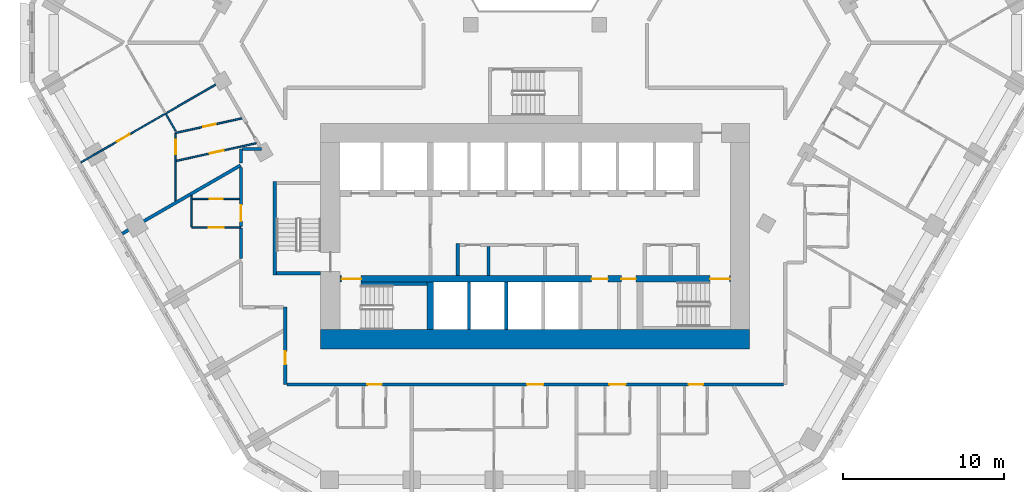
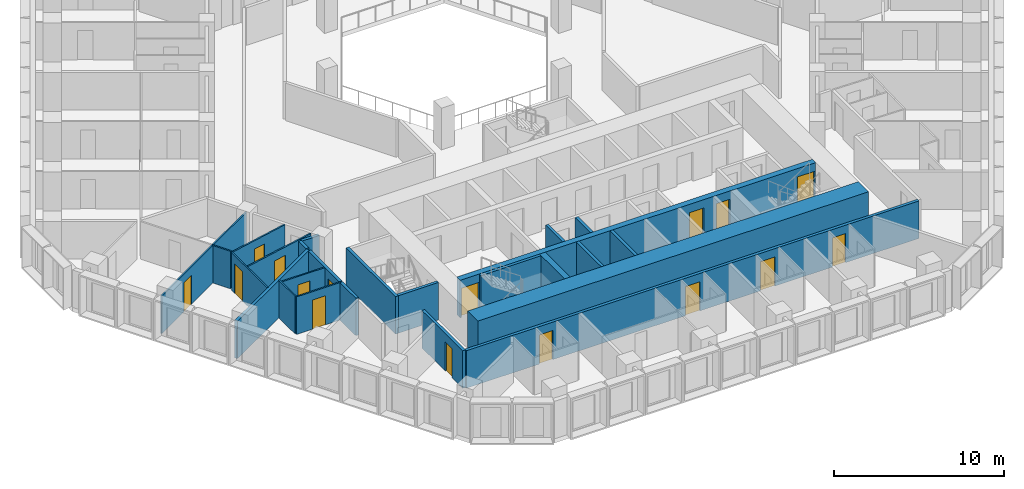
# One storey, part 4 of 21: 25 walls, 16 doors, 16 openings.
"""IFC4 building model written with IfcOpenShell, lengths in metres."""

from ifc_helpers import new_model, si_unit, direction, frame, frame_2d, origin, place, context, subcontext, project, spatial, rectangle, extrude, material, layer, layer_set, type_object, element, fill, save


model = new_model("IFC4")

# Units and contexts
model_context = context("Model", 3, precision=1e-05, world=origin(), true_north=direction((0.0, 1.0)))
body_context = subcontext(model_context, "Body", "Model", "MODEL_VIEW")
ifc_project = project(units=[si_unit("LENGTHUNIT", "METRE"), si_unit("AREAUNIT", "SQUARE_METRE"), si_unit("VOLUMEUNIT", "CUBIC_METRE"), si_unit("PLANEANGLEUNIT", "RADIAN"), si_unit("MASSUNIT", "GRAM", prefix="KILO")], contexts=[model_context])

# Site, building, storey
site_placement = place(None, origin())
site = spatial("IfcSite", under=ifc_project, at=site_placement, CompositionType="ELEMENT")
building_placement = place(site_placement, origin())
building = spatial("IfcBuilding", under=site, at=building_placement, Name="Beryl Residences", CompositionType="ELEMENT")
storey_placement = place(building_placement, frame((0.0, 0.0, 29.39990234375)))
storey = spatial("IfcBuildingStorey", under=building, at=storey_placement, Name="L08", CompositionType="ELEMENT", Elevation=29.39990234375)

# Wall
ifc_material_1 = material(Name="Gypsum board partition on steel studs", Category="steel")
ifc_layer_1 = layer(ifc_material_1, 0.10009765625)
ifc_layer_set_1 = layer_set([ifc_layer_1], Name="PT1 partition 100 mm gypsum board on steel studs")
wall_type_1 = type_object("IfcWallType", Name="PT1 partition 100 mm gypsum board on steel studs", PredefinedType="PARTITIONING", material=ifc_layer_set_1)
wall_1_placement = place(storey_placement, frame((-21.31005859375, -9.47412109375, 0.0), z_axis=(0.0, 0.0, 1.0), x_axis=(0.0, -1.0, 0.0)))
element("IfcWall", 1, at=wall_1_placement, inside=storey, type_object=wall_type_1, Name="Wall PT1 L08 009", PredefinedType="PARTITIONING", context=body_context, shape_type="SweptSolid", body=[
    extrude(rectangle(XDim=1.931884765625, YDim=0.10009765625, at=frame_2d((0.9658203125, 0.0))), origin(), (0.0, 0.0, 1.0), 2.7001953125),
])

# Wall, opening, door
wall_2_placement = place(storey_placement, frame((-21.260009765625, -9.68896484375, 0.0), z_axis=(0.0, 0.0, 1.0), x_axis=(1.0, 0.0, 0.0)))
wall_2 = element("IfcWall", 2, at=wall_2_placement, inside=storey, type_object=wall_type_1, Name="Wall PT1 L08 024", PredefinedType="PARTITIONING", context=body_context, shape_type="SweptSolid", body=[
    extrude(rectangle(XDim=2.909912109375, YDim=0.10009765625, at=frame_2d((1.455078125, 0.0))), origin(), (0.0, 0.0, 1.0), 2.7001953125),
])
opening_1_placement = place(wall_2_placement, frame((1.080078125, 0.0, 0.0)))
opening_1 = element("IfcOpeningElement", 3, at=opening_1_placement, cuts=wall_2, Name="Opening D0178", PredefinedType="OPENING", context=body_context, shape_type="SweptSolid", body=[
    extrude(rectangle(XDim=0.800048828125, YDim=2.10009765625, at=frame_2d((0.39990234375, 1.050048828125))), frame((0.0, 0.06005859375, 0.0), z_axis=(0.0, -1.0, 0.0), x_axis=(1.0, 0.0, 0.0)), (0.0, 0.0, 1.0), 0.1201171875),
])
ifc_material_2 = material(Name="Timber door leaf", Category="wood")
door_type_1 = type_object("IfcDoorType", Name="D3 bathroom door 800 x 2100 mm", OperationType="SINGLE_SWING_LEFT", PredefinedType="DOOR", material=ifc_material_2)
door_1_placement = place(opening_1_placement, origin())
door_1 = element("IfcDoor", 4, at=door_1_placement, inside=storey, type_object=door_type_1, Name="Door D0178 L08 001", OperationType="SINGLE_SWING_RIGHT", OverallHeight=2.10009765625, OverallWidth=0.800048828125, PredefinedType="DOOR", context=body_context, shape_type="SweptSolid", body=[
    extrude(rectangle(XDim=0.800048828125, YDim=2.10009765625, at=frame_2d((0.39990234375, 1.050048828125))), frame((0.0, 0.02490234375, 0.0), z_axis=(0.0, -1.0, 0.0), x_axis=(1.0, 0.0, 0.0)), (0.0, 0.0, 1.0), 0.050048828125),
])
fill(opening_1, door_1)

wall_3_placement = place(storey_placement, frame((-21.30908203125, -11.45703125, 0.0), z_axis=(0.0, 0.0, 1.0), x_axis=(1.0, 0.0, 0.0)))
wall_3 = element("IfcWall", 5, at=wall_3_placement, inside=storey, type_object=wall_type_1, Name="Wall PT1 L08 025", PredefinedType="PARTITIONING", context=body_context, shape_type="SweptSolid", body=[
    extrude(rectangle(XDim=3.05908203125, YDim=0.10009765625, at=frame_2d((1.529541015625, 0.0))), origin(), (0.0, 0.0, 1.0), 2.7001953125),
])
opening_2_placement = place(wall_3_placement, frame((1.0791015625, 0.0, 0.0)))
opening_2 = element("IfcOpeningElement", 6, at=opening_2_placement, cuts=wall_3, Name="Opening D0177", PredefinedType="OPENING", context=body_context, shape_type="SweptSolid", body=[
    extrude(rectangle(XDim=0.89990234375, YDim=2.10009765625, at=frame_2d((0.449951171875, 1.050048828125))), frame((0.0, 0.06005859375, 0.0), z_axis=(0.0, -1.0, 0.0), x_axis=(1.0, 0.0, 0.0)), (0.0, 0.0, 1.0), 0.1201171875),
])
ifc_material_3 = material(Name="Timber door leaf", Category="wood")
door_type_2 = type_object("IfcDoorType", Name="D2 room door 900 x 2100 mm", OperationType="SINGLE_SWING_LEFT", PredefinedType="DOOR", material=ifc_material_3)
door_2_placement = place(opening_2_placement, origin())
door_2 = element("IfcDoor", 7, at=door_2_placement, inside=storey, type_object=door_type_2, Name="Door D0177 L08 001", OperationType="SINGLE_SWING_LEFT", OverallHeight=2.10009765625, OverallWidth=0.89990234375, PredefinedType="DOOR", context=body_context, shape_type="SweptSolid", body=[
    extrude(rectangle(XDim=0.89990234375, YDim=2.10009765625, at=frame_2d((0.449951171875, 1.050048828125))), frame((0.0, 0.02490234375, 0.0), z_axis=(0.0, -1.0, 0.0), x_axis=(1.0, 0.0, 0.0)), (0.0, 0.0, 1.0), 0.050048828125),
])
fill(opening_2, door_2)

wall_4_placement = place(storey_placement, frame((-22.297119140625, -9.81298828125, 0.0), z_axis=(0.0, 0.0, 1.0), x_axis=(0.0, 1.0, 0.0)))
wall_4 = element("IfcWall", 8, at=wall_4_placement, inside=storey, type_object=wall_type_1, Name="Wall PT1 L08 058", PredefinedType="PARTITIONING", context=body_context, shape_type="SweptSolid", body=[
    extrude(rectangle(XDim=4.18408203125, YDim=0.10009765625, at=frame_2d((2.092041015625, 0.0))), origin(), (0.0, 0.0, 1.0), 2.7001953125),
])
opening_3_placement = place(wall_4_placement, frame((2.89404296875, 0.0, 0.0)))
opening_3 = element("IfcOpeningElement", 9, at=opening_3_placement, cuts=wall_4, Name="Opening D0172", PredefinedType="OPENING", context=body_context, shape_type="SweptSolid", body=[
    extrude(rectangle(XDim=0.89990234375, YDim=2.10009765625, at=frame_2d((0.449951171875, 1.050048828125))), frame((0.0, 0.06005859375, 0.0), z_axis=(0.0, -1.0, 0.0), x_axis=(1.0, 0.0, 0.0)), (0.0, 0.0, 1.0), 0.1201171875),
])
door_3_placement = place(opening_3_placement, origin())
door_3 = element("IfcDoor", 10, at=door_3_placement, inside=storey, type_object=door_type_2, Name="Door D0172 L08 001", OperationType="SINGLE_SWING_RIGHT", OverallHeight=2.10009765625, OverallWidth=0.89990234375, PredefinedType="DOOR", context=body_context, shape_type="SweptSolid", body=[
    extrude(rectangle(XDim=0.89990234375, YDim=2.10009765625, at=frame_2d((0.449951171875, 1.050048828125))), frame((0.0, 0.02490234375, 0.0), z_axis=(0.0, -1.0, 0.0), x_axis=(1.0, 0.0, 0.0)), (0.0, 0.0, 1.0), 0.050048828125),
])
fill(opening_3, door_3)

wall_5_placement = place(storey_placement, frame((-22.297119140625, -5.597900390625, 0.0), z_axis=(0.0, 0.0, 1.0), x_axis=(0.976341239907, 0.216235481033, 0.0)))
wall_5 = element("IfcWall", 11, at=wall_5_placement, inside=storey, type_object=wall_type_1, Name="Wall PT1 L08 060", PredefinedType="PARTITIONING", context=body_context, shape_type="SweptSolid", body=[
    extrude(rectangle(XDim=4.203369140625, YDim=0.10009765625, at=frame_2d((2.1015625, 0.0))), origin(), (0.0, 0.0, 1.0), 2.7001953125),
])
opening_4_placement = place(wall_5_placement, frame((1.75390625, 0.0, 0.0)))
opening_4 = element("IfcOpeningElement", 12, at=opening_4_placement, cuts=wall_5, Name="Opening D0171", PredefinedType="OPENING", context=body_context, shape_type="SweptSolid", body=[
    extrude(rectangle(XDim=0.800048828125, YDim=2.10009765625, at=frame_2d((0.39990234375, 1.050048828125))), frame((0.0, 0.06005859375, 0.0), z_axis=(0.0, -1.0, 0.0), x_axis=(1.0, 0.0, 0.0)), (0.0, 0.0, 1.0), 0.1201171875),
])
door_4_placement = place(opening_4_placement, origin())
door_4 = element("IfcDoor", 13, at=door_4_placement, inside=storey, type_object=door_type_1, Name="Door D0171 L08 001", OperationType="SINGLE_SWING_LEFT", OverallHeight=2.10009765625, OverallWidth=0.800048828125, PredefinedType="DOOR", context=body_context, shape_type="SweptSolid", body=[
    extrude(rectangle(XDim=0.800048828125, YDim=2.10009765625, at=frame_2d((0.39990234375, 1.050048828125))), frame((0.0, 0.02490234375, 0.0), z_axis=(0.0, -1.0, 0.0), x_axis=(1.0, 0.0, 0.0)), (0.0, 0.0, 1.0), 0.050048828125),
])
fill(opening_4, door_4)

wall_6_placement = place(storey_placement, frame((-22.2470703125, -7.327880859375, 0.0), z_axis=(0.0, 0.0, 1.0), x_axis=(0.976310522972, 0.216374126765, 0.0)))
wall_6 = element("IfcWall", 14, at=wall_6_placement, inside=storey, type_object=wall_type_1, Name="Wall PT1 L08 061", PredefinedType="PARTITIONING", context=body_context, shape_type="SweptSolid", body=[
    extrude(rectangle(XDim=5.06494140625, YDim=0.10009765625, at=frame_2d((2.532470703125, 0.0))), origin(), (0.0, 0.0, 1.0), 2.7001953125),
])
opening_5_placement = place(wall_6_placement, frame((2.10888671875, 0.0, 0.0)))
opening_5 = element("IfcOpeningElement", 15, at=opening_5_placement, cuts=wall_6, Name="Opening D0170", PredefinedType="OPENING", context=body_context, shape_type="SweptSolid", body=[
    extrude(rectangle(XDim=0.89990234375, YDim=2.10009765625, at=frame_2d((0.449951171875, 1.050048828125))), frame((0.0, 0.06005859375, 0.0), z_axis=(0.0, -1.0, 0.0), x_axis=(1.0, 0.0, 0.0)), (0.0, 0.0, 1.0), 0.1201171875),
])
door_5_placement = place(opening_5_placement, origin())
door_5 = element("IfcDoor", 16, at=door_5_placement, inside=storey, type_object=door_type_2, Name="Door D0170 L08 001", OperationType="SINGLE_SWING_RIGHT", OverallHeight=2.10009765625, OverallWidth=0.89990234375, PredefinedType="DOOR", context=body_context, shape_type="SweptSolid", body=[
    extrude(rectangle(XDim=0.89990234375, YDim=2.10009765625, at=frame_2d((0.449951171875, 1.050048828125))), frame((0.0, 0.02490234375, 0.0), z_axis=(0.0, -1.0, 0.0), x_axis=(1.0, 0.0, 0.0)), (0.0, 0.0, 1.0), 0.050048828125),
])
fill(opening_5, door_5)

wall_7_placement = place(storey_placement, frame((-28.1630859375, -7.419921875, 0.0), z_axis=(0.0, 0.0, 1.0), x_axis=(0.866065245018, 0.499930986609, 0.0)))
wall_7 = element("IfcWall", 17, at=wall_7_placement, inside=storey, type_object=wall_type_1, Name="Wall PT1 L08 064", PredefinedType="PARTITIONING", context=body_context, shape_type="SweptSolid", body=[
    extrude(rectangle(XDim=9.99951171875, YDim=0.10009765625, at=frame_2d((4.999755859375, 0.0))), origin(), (0.0, 0.0, 1.0), 2.7001953125),
])
opening_6_placement = place(wall_7_placement, frame((2.575927734375, 0.0, 0.0)))
opening_6 = element("IfcOpeningElement", 18, at=opening_6_placement, cuts=wall_7, Name="Opening D0173", PredefinedType="OPENING", context=body_context, shape_type="SweptSolid", body=[
    extrude(rectangle(XDim=0.89990234375, YDim=2.10009765625, at=frame_2d((0.449951171875, 1.050048828125))), frame((0.0, 0.06005859375, 0.0), z_axis=(0.0, -1.0, 0.0), x_axis=(1.0, 0.0, 0.0)), (0.0, 0.0, 1.0), 0.1201171875),
])
door_6_placement = place(opening_6_placement, origin())
door_6 = element("IfcDoor", 19, at=door_6_placement, inside=storey, type_object=door_type_2, Name="Door D0173 L08 001", OperationType="SINGLE_SWING_LEFT", OverallHeight=2.10009765625, OverallWidth=0.89990234375, PredefinedType="DOOR", context=body_context, shape_type="SweptSolid", body=[
    extrude(rectangle(XDim=0.89990234375, YDim=2.10009765625, at=frame_2d((0.449951171875, 1.050048828125))), frame((0.0, 0.02490234375, 0.0), z_axis=(0.0, -1.0, 0.0), x_axis=(1.0, 0.0, 0.0)), (0.0, 0.0, 1.0), 0.050048828125),
])
fill(opening_6, door_6)

# Walls
wall_8_placement = place(storey_placement, frame((-22.9208984375, -4.39404296875, 0.0), z_axis=(0.0, 0.0, 1.0), x_axis=(0.49977889874, -0.86615301903, 0.0)))
element("IfcWall", 20, at=wall_8_placement, inside=storey, type_object=wall_type_1, Name="Wall PT1 L08 071", PredefinedType="PARTITIONING", context=body_context, shape_type="SweptSolid", body=[
    extrude(rectangle(XDim=1.248046875, YDim=0.10009765625, at=frame_2d((0.6240234375, 0.0))), origin(), (0.0, 0.0, 1.0), 2.7001953125),
])
ifc_material_4 = material(Name="Concrete masonry", Category="masonry")
ifc_layer_2 = layer(ifc_material_4, 0.199951171875)
ifc_layer_set_2 = layer_set([ifc_layer_2], Name="PT13 lobby wall 200 mm")
wall_type_2 = type_object("IfcWallType", Name="PT13 lobby wall 200 mm", PredefinedType="PARTITIONING", material=ifc_layer_set_2)
wall_9_placement = place(storey_placement, frame((-4.800048828125, -14.449951171875, 0.0), z_axis=(0.0, 0.0, 1.0), x_axis=(0.0, 1.0, 0.0)))
element("IfcWall", 21, at=wall_9_placement, inside=storey, type_object=wall_type_2, Name="Lobby wall 07", PredefinedType="PARTITIONING", context=body_context, shape_type="SweptSolid", body=[
    extrude(rectangle(XDim=2.0, YDim=0.199951171875, at=frame_2d((1.0, 0.0))), origin(), (0.0, 0.0, 1.0), 2.7001953125),
])
ifc_material_5 = material(Name="Acoustic double stud gypsum board wall")
ifc_layer_3 = layer(ifc_material_5, 0.199951171875)
ifc_layer_set_3 = layer_set([ifc_layer_3], Name="PT3 party wall 200 mm acoustic double stud")
wall_type_3 = type_object("IfcWallType", Name="PT3 party wall 200 mm acoustic double stud", PredefinedType="PARTITIONING", material=ifc_layer_set_3)
wall_10_placement = place(storey_placement, frame((-25.610107421875, -11.841064453125, 0.0), z_axis=(0.0, 0.0, 1.0), x_axis=(0.866019023803, 0.500011050288, 0.0)))
element("IfcWall", 22, at=wall_10_placement, inside=storey, type_object=wall_type_3, Name="Wall PT3 L08 027", PredefinedType="PARTITIONING", context=body_context, shape_type="SweptSolid", body=[
    extrude(rectangle(XDim=8.469970703125, YDim=0.199951171875, at=frame_2d((4.23486328125, 0.0))), origin(), (0.0, 0.0, 1.0), 2.7001953125),
])
ifc_material_6 = material(Name="Double stud gypsum board wall")
ifc_layer_4 = layer(ifc_material_6, 0.199951171875)
ifc_layer_set_4 = layer_set([ifc_layer_4], Name="PT4 corridor wall 200 mm double stud")
wall_type_4 = type_object("IfcWallType", Name="PT4 corridor wall 200 mm double stud", PredefinedType="PARTITIONING", material=ifc_layer_set_4)
wall_11_placement = place(storey_placement, frame((-18.25, -11.507080078125, 0.0), z_axis=(0.0, 0.0, 1.0), x_axis=(0.0, -1.0, 0.0)))
element("IfcWall", 23, at=wall_11_placement, inside=storey, type_object=wall_type_4, Name="Wall PT4 L08 007", PredefinedType="PARTITIONING", context=body_context, shape_type="SweptSolid", body=[
    extrude(rectangle(XDim=1.86181640625, YDim=0.199951171875, at=frame_2d((0.930908203125, 0.0))), origin(), (0.0, 0.0, 1.0), 2.7001953125),
])
wall_12_placement = place(storey_placement, frame((-18.14990234375, -6.60009765625, 0.0), z_axis=(0.0, 0.0, 1.0), x_axis=(1.0, 0.0, 0.0)))
element("IfcWall", 24, at=wall_12_placement, inside=storey, type_object=wall_type_4, Name="Wall PT4 L08 008", PredefinedType="PARTITIONING", context=body_context, shape_type="SweptSolid", body=[
    extrude(rectangle(XDim=1.17578125, YDim=0.199951171875, at=frame_2d((0.587890625, 0.0))), origin(), (0.0, 0.0, 1.0), 2.7001953125),
])

# Wall, openings, doors
wall_13_placement = place(storey_placement, frame((-15.39990234375, -21.199951171875, 0.0), z_axis=(0.0, 0.0, 1.0), x_axis=(1.0, 0.0, 0.0)))
wall_13 = element("IfcWall", 25, at=wall_13_placement, inside=storey, type_object=wall_type_4, Name="Wall PT4 L08 012", PredefinedType="PARTITIONING", context=body_context, shape_type="SweptSolid", body=[
    extrude(rectangle(XDim=30.798828125, YDim=0.199951171875, at=frame_2d((15.3994140625, 0.0))), origin(), (0.0, 0.0, 1.0), 2.7001953125),
])
opening_7_placement = place(wall_13_placement, frame((4.985107421875, 0.0, 0.0)))
opening_7 = element("IfcOpeningElement", 26, at=opening_7_placement, cuts=wall_13, Name="Opening D0101", PredefinedType="OPENING", context=body_context, shape_type="SweptSolid", body=[
    extrude(rectangle(XDim=0.89990234375, YDim=2.10009765625, at=frame_2d((0.449951171875, 1.050048828125))), frame((0.0, 0.10986328125, 0.0), z_axis=(0.0, -1.0, 0.0), x_axis=(1.0, 0.0, 0.0)), (0.0, 0.0, 1.0), 0.219970703125),
])
opening_8_placement = place(wall_13_placement, frame((14.90087890625, 0.0, 0.0)))
opening_8 = element("IfcOpeningElement", 27, at=opening_8_placement, cuts=wall_13, Name="Opening D0104", PredefinedType="OPENING", context=body_context, shape_type="SweptSolid", body=[
    extrude(rectangle(XDim=1.0, YDim=2.10009765625, at=frame_2d((0.5, 1.050048828125))), frame((0.0, 0.10986328125, 0.0), z_axis=(0.0, -1.0, 0.0), x_axis=(1.0, 0.0, 0.0)), (0.0, 0.0, 1.0), 0.219970703125),
])
opening_9_placement = place(wall_13_placement, frame((20.0048828125, 0.0, 0.0)))
opening_9 = element("IfcOpeningElement", 28, at=opening_9_placement, cuts=wall_13, Name="Opening D0109", PredefinedType="OPENING", context=body_context, shape_type="SweptSolid", body=[
    extrude(rectangle(XDim=1.0, YDim=2.10009765625, at=frame_2d((0.5, 1.050048828125))), frame((0.0, 0.10986328125, 0.0), z_axis=(0.0, -1.0, 0.0), x_axis=(1.0, 0.0, 0.0)), (0.0, 0.0, 1.0), 0.219970703125),
])
opening_10_placement = place(wall_13_placement, frame((24.916015625, 0.0, 0.0)))
opening_10 = element("IfcOpeningElement", 29, at=opening_10_placement, cuts=wall_13, Name="Opening D0112", PredefinedType="OPENING", context=body_context, shape_type="SweptSolid", body=[
    extrude(rectangle(XDim=0.89990234375, YDim=2.10009765625, at=frame_2d((0.449951171875, 1.050048828125))), frame((0.0, 0.10986328125, 0.0), z_axis=(0.0, -1.0, 0.0), x_axis=(1.0, 0.0, 0.0)), (0.0, 0.0, 1.0), 0.219970703125),
])
ifc_material_7 = material(Name="Timber door leaf", Category="wood")
door_type_3 = type_object("IfcDoorType", Name="D1 flat entrance door 1000 x 2100 mm", OperationType="SINGLE_SWING_LEFT", PredefinedType="DOOR", material=ifc_material_7)
door_7_placement = place(opening_8_placement, origin())
door_7 = element("IfcDoor", 30, at=door_7_placement, inside=storey, type_object=door_type_3, Name="Door D0104 L08 001", OperationType="SINGLE_SWING_RIGHT", OverallHeight=2.10009765625, OverallWidth=1.0, PredefinedType="DOOR", context=body_context, shape_type="SweptSolid", body=[
    extrude(rectangle(XDim=1.0, YDim=2.10009765625, at=frame_2d((0.5, 1.050048828125))), frame((0.0, 0.02490234375, 0.0), z_axis=(0.0, -1.0, 0.0), x_axis=(1.0, 0.0, 0.0)), (0.0, 0.0, 1.0), 0.050048828125),
])
fill(opening_8, door_7)
door_8_placement = place(opening_9_placement, origin())
door_8 = element("IfcDoor", 31, at=door_8_placement, inside=storey, type_object=door_type_3, Name="Door D0109 L08 001", OperationType="SINGLE_SWING_LEFT", OverallHeight=2.10009765625, OverallWidth=1.0, PredefinedType="DOOR", context=body_context, shape_type="SweptSolid", body=[
    extrude(rectangle(XDim=1.0, YDim=2.10009765625, at=frame_2d((0.5, 1.050048828125))), frame((0.0, 0.02490234375, 0.0), z_axis=(0.0, -1.0, 0.0), x_axis=(1.0, 0.0, 0.0)), (0.0, 0.0, 1.0), 0.050048828125),
])
fill(opening_9, door_8)
ifc_material_8 = material(Name="Timber door leaf", Category="wood")
door_type_4 = type_object("IfcDoorType", Name="D11 flat entrance door 900 x 2100 mm", OperationType="SINGLE_SWING_LEFT", PredefinedType="DOOR", material=ifc_material_8)
door_9_placement = place(opening_7_placement, origin())
door_9 = element("IfcDoor", 32, at=door_9_placement, inside=storey, type_object=door_type_4, Name="Door D0101 L08 001", OperationType="SINGLE_SWING_LEFT", OverallHeight=2.10009765625, OverallWidth=0.89990234375, PredefinedType="DOOR", context=body_context, shape_type="SweptSolid", body=[
    extrude(rectangle(XDim=0.89990234375, YDim=2.10009765625, at=frame_2d((0.449951171875, 1.050048828125))), frame((0.0, 0.02490234375, 0.0), z_axis=(0.0, -1.0, 0.0), x_axis=(1.0, 0.0, 0.0)), (0.0, 0.0, 1.0), 0.050048828125),
])
fill(opening_7, door_9)
door_10_placement = place(opening_10_placement, origin())
door_10 = element("IfcDoor", 33, at=door_10_placement, inside=storey, type_object=door_type_4, Name="Door D0112 L08 001", OperationType="SINGLE_SWING_RIGHT", OverallHeight=2.10009765625, OverallWidth=0.89990234375, PredefinedType="DOOR", context=body_context, shape_type="SweptSolid", body=[
    extrude(rectangle(XDim=0.89990234375, YDim=2.10009765625, at=frame_2d((0.449951171875, 1.050048828125))), frame((0.0, 0.02490234375, 0.0), z_axis=(0.0, -1.0, 0.0), x_axis=(1.0, 0.0, 0.0)), (0.0, 0.0, 1.0), 0.050048828125),
])
fill(opening_10, door_10)

# Wall, opening, door
wall_14_placement = place(storey_placement, frame((-15.5, -21.199951171875, 0.0), z_axis=(0.0, 0.0, 1.0), x_axis=(0.0, 1.0, 0.0)))
wall_14 = element("IfcWall", 34, at=wall_14_placement, inside=storey, type_object=wall_type_4, Name="Wall PT4 L08 030", PredefinedType="PARTITIONING", context=body_context, shape_type="SweptSolid", body=[
    extrude(rectangle(XDim=4.800048828125, YDim=0.199951171875, at=frame_2d((2.39990234375, 0.0))), origin(), (0.0, 0.0, 1.0), 2.7001953125),
])
opening_11_placement = place(wall_14_placement, frame((1.258056640625, 0.0, 0.0)))
opening_11 = element("IfcOpeningElement", 35, at=opening_11_placement, cuts=wall_14, Name="Opening D0180", PredefinedType="OPENING", context=body_context, shape_type="SweptSolid", body=[
    extrude(rectangle(XDim=0.800048828125, YDim=2.10009765625, at=frame_2d((0.39990234375, 1.050048828125))), frame((0.0, 0.10986328125, 0.0), z_axis=(0.0, -1.0, 0.0), x_axis=(1.0, 0.0, 0.0)), (0.0, 0.0, 1.0), 0.219970703125),
])
door_11_placement = place(opening_11_placement, origin())
door_11 = element("IfcDoor", 36, at=door_11_placement, inside=storey, type_object=door_type_1, Name="Door D0180 L08 001", OperationType="SINGLE_SWING_RIGHT", OverallHeight=2.10009765625, OverallWidth=0.800048828125, PredefinedType="DOOR", context=body_context, shape_type="SweptSolid", body=[
    extrude(rectangle(XDim=0.800048828125, YDim=2.10009765625, at=frame_2d((0.39990234375, 1.050048828125))), frame((0.0, 0.02490234375, 0.0), z_axis=(0.0, -1.0, 0.0), x_axis=(1.0, 0.0, 0.0)), (0.0, 0.0, 1.0), 0.050048828125),
])
fill(opening_11, door_11)

wall_15_placement = place(storey_placement, frame((-18.25, -11.406982421875, 0.0), z_axis=(0.0, 0.0, 1.0), x_axis=(0.0, 1.0, 0.0)))
wall_15 = element("IfcWall", 37, at=wall_15_placement, inside=storey, type_object=wall_type_4, Name="Wall PT4 L08 033", PredefinedType="PARTITIONING", context=body_context, shape_type="SweptSolid", body=[
    extrude(rectangle(XDim=3.6650390625, YDim=0.199951171875, at=frame_2d((1.83251953125, 0.0))), origin(), (0.0, 0.0, 1.0), 2.7001953125),
])
opening_12_placement = place(wall_15_placement, frame((0.333984375, 0.0, 0.0)))
opening_12 = element("IfcOpeningElement", 38, at=opening_12_placement, cuts=wall_15, Name="Opening D0176", PredefinedType="OPENING", context=body_context, shape_type="SweptSolid", body=[
    extrude(rectangle(XDim=1.0, YDim=2.10009765625, at=frame_2d((0.5, 1.050048828125))), frame((0.0, 0.10986328125, 0.0), z_axis=(0.0, -1.0, 0.0), x_axis=(1.0, 0.0, 0.0)), (0.0, 0.0, 1.0), 0.219970703125),
])
door_12_placement = place(opening_12_placement, origin())
door_12 = element("IfcDoor", 39, at=door_12_placement, inside=storey, type_object=door_type_3, Name="Door D0176 L08 001", OperationType="SINGLE_SWING_RIGHT", OverallHeight=2.10009765625, OverallWidth=1.0, PredefinedType="DOOR", context=body_context, shape_type="SweptSolid", body=[
    extrude(rectangle(XDim=1.0, YDim=2.10009765625, at=frame_2d((0.5, 1.050048828125))), frame((0.0, 0.02490234375, 0.0), z_axis=(0.0, -1.0, 0.0), x_axis=(1.0, 0.0, 0.0)), (0.0, 0.0, 1.0), 0.050048828125),
])
fill(opening_12, door_12)

# Walls
wall_16_placement = place(storey_placement, frame((-18.25, -7.47607421875, 0.0), z_axis=(0.0, 0.0, 1.0), x_axis=(0.0, 1.0, 0.0)))
element("IfcWall", 40, at=wall_16_placement, inside=storey, type_object=wall_type_4, Name="Wall PT4 L08 034", PredefinedType="PARTITIONING", context=body_context, shape_type="SweptSolid", body=[
    extrude(rectangle(XDim=0.8759765625, YDim=0.199951171875, at=frame_2d((0.43798828125, 0.0))), origin(), (0.0, 0.0, 1.0), 2.7001953125),
])
ifc_material_9 = material(Name="Concrete C40/50", Category="concrete")
ifc_layer_5 = layer(ifc_material_9, 0.199951171875)
ifc_layer_set_5 = layer_set([ifc_layer_5], Name="PT5 stair enclosure wall 200 mm reinforced concrete C40/50")
wall_type_5 = type_object("IfcWallType", Name="PT5 stair enclosure wall 200 mm reinforced concrete C40/50", PredefinedType="SOLIDWALL", material=ifc_layer_set_5)
wall_17_placement = place(storey_placement, frame((-16.14990234375, -14.39990234375, 0.0), z_axis=(0.0, 0.0, 1.0), x_axis=(0.0, 1.0, 0.0)))
element("IfcWall", 41, at=wall_17_placement, inside=storey, type_object=wall_type_5, Name="Stair wall 01", PredefinedType="SOLIDWALL", context=body_context, shape_type="SweptSolid", body=[
    extrude(rectangle(XDim=5.7998046875, YDim=0.199951171875, at=frame_2d((2.89990234375, 0.0))), origin(), (0.0, 0.0, 1.0), 2.7001953125),
])
wall_18_placement = place(storey_placement, frame((-16.050048828125, -14.300048828125, 0.0), z_axis=(0.0, 0.0, 1.0), x_axis=(1.0, 0.0, 0.0)))
element("IfcWall", 42, at=wall_18_placement, inside=storey, type_object=wall_type_5, Name="Stair wall 02", PredefinedType="SOLIDWALL", context=body_context, shape_type="SweptSolid", body=[
    extrude(rectangle(XDim=2.75, YDim=0.199951171875, at=frame_2d((1.375, 0.0))), origin(), (0.0, 0.0, 1.0), 2.7001953125),
])
wall_19_placement = place(storey_placement, frame((-10.800048828125, -14.949951171875, 0.0), z_axis=(0.0, 0.0, 1.0), x_axis=(1.0, 0.0, 0.0)))
element("IfcWall", 43, at=wall_19_placement, inside=storey, type_object=wall_type_5, Name="Stair wall 04", PredefinedType="SOLIDWALL", context=body_context, shape_type="SweptSolid", body=[
    extrude(rectangle(XDim=4.10009765625, YDim=0.199951171875, at=frame_2d((2.050048828125, 0.0))), origin(), (0.0, 0.0, 1.0), 2.7001953125),
])
ifc_material_10 = material(Name="Concrete C40/50", Category="concrete")
ifc_layer_6 = layer(ifc_material_10, 0.199951171875)
ifc_layer_set_6 = layer_set([ifc_layer_6], Name="PT6 lift shaft wall 200 mm reinforced concrete C40/50")
wall_type_6 = type_object("IfcWallType", Name="PT6 lift shaft wall 200 mm reinforced concrete C40/50", PredefinedType="SOLIDWALL", material=ifc_layer_set_6)
for number, where, z_axis, x_axis, name in (
    (44, (-4.10009765625, -17.800048828125, 0.0), (0.0, 0.0, 1.0), (0.0, 1.0, 0.0), "Lift shaft wall 09"),
    (45, (-1.800048828125, -17.800048828125, 0.0), (0.0, 0.0, 1.0), (0.0, 1.0, 0.0), "Lift shaft wall 12"),
):
    element("IfcWall", number, at=place(storey_placement, frame(where, z_axis=z_axis, x_axis=x_axis)), inside=storey, type_object=wall_type_6, Name=name, PredefinedType="SOLIDWALL", context=body_context, shape_type="SweptSolid", body=[
        extrude(rectangle(XDim=2.949951171875, YDim=0.199951171875, at=frame_2d((1.47509765625, 0.0))), origin(), (0.0, 0.0, 1.0), 2.7001953125),
    ])
ifc_material_11 = material(Name="Concrete masonry", Category="masonry")
ifc_layer_7 = layer(ifc_material_11, 0.199951171875)
ifc_layer_set_7 = layer_set([ifc_layer_7], Name="PT8-200 service room wall 200 mm")
wall_type_7 = type_object("IfcWallType", Name="PT8-200 service room wall 200 mm", PredefinedType="PARTITIONING", material=ifc_layer_set_7)
wall_20_placement = place(storey_placement, frame((-2.89990234375, -14.449951171875, 0.0), z_axis=(0.0, 0.0, 1.0), x_axis=(0.0, 1.0, 0.0)))
element("IfcWall", 46, at=wall_20_placement, inside=storey, type_object=wall_type_7, Name="Core room wall 11", PredefinedType="PARTITIONING", context=body_context, shape_type="SweptSolid", body=[
    extrude(rectangle(XDim=1.800048828125, YDim=0.199951171875, at=frame_2d((0.89990234375, 0.0))), origin(), (0.0, 0.0, 1.0), 2.7001953125),
])
ifc_material_12 = material(Name="Concrete C80/95", Category="concrete")
ifc_layer_8 = layer(ifc_material_12, 1.199951171875)
ifc_layer_set_8 = layer_set([ifc_layer_8], Name="SW1 core outer wall 1200 mm C80/95")
wall_type_8 = type_object("IfcWallType", Name="SW1 core outer wall 1200 mm C80/95", PredefinedType="SHEAR", material=ifc_layer_set_8)
wall_21_placement = place(storey_placement, frame((-13.300048828125, -18.39990234375, 0.0), z_axis=(0.0, 0.0, 1.0), x_axis=(1.0, 0.0, 0.0)))
element("IfcWall", 47, at=wall_21_placement, inside=storey, type_object=wall_type_8, Name="Core wall S L08", PredefinedType="SHEAR", context=body_context, shape_type="SweptSolid", body=[
    extrude(rectangle(XDim=26.60009765625, YDim=1.199951171875, at=frame_2d((13.300048828125, 0.0))), origin(), (0.0, 0.0, 1.0), 2.7001953125),
])

# Wall, openings, doors
ifc_material_13 = material(Name="Concrete C80/95", Category="concrete")
ifc_layer_9 = layer(ifc_material_13, 0.39990234375)
ifc_layer_set_9 = layer_set([ifc_layer_9], Name="SW6 core internal wall 400 mm C80/95")
wall_type_9 = type_object("IfcWallType", Name="SW6 core internal wall 400 mm C80/95", PredefinedType="SHEAR", material=ifc_layer_set_9)
wall_22_placement = place(storey_placement, frame((-12.10009765625, -14.64990234375, 0.0), z_axis=(0.0, 0.0, 1.0), x_axis=(1.0, 0.0, 0.0)))
wall_22 = element("IfcWall", 48, at=wall_22_placement, inside=storey, type_object=wall_type_9, Name="Core wall SP1 L08", PredefinedType="SHEAR", context=body_context, shape_type="SweptSolid", body=[
    extrude(rectangle(XDim=24.2001953125, YDim=0.39990234375, at=frame_2d((12.10009765625, 0.0))), origin(), (0.0, 0.0, 1.0), 2.7001953125),
])
opening_13_placement = place(wall_22_placement, frame((1.300048828125, 0.0, 0.0), z_axis=(0.0, 0.0, 1.0), x_axis=(-1.0, 0.0, 0.0)))
opening_13 = element("IfcOpeningElement", 49, at=opening_13_placement, cuts=wall_22, Name="Opening SD-1", PredefinedType="OPENING", context=body_context, shape_type="SweptSolid", body=[
    extrude(rectangle(XDim=1.199951171875, YDim=2.10009765625, at=frame_2d((0.60009765625, 1.050048828125))), frame((0.0, 0.2099609375, 0.0), z_axis=(0.0, -1.0, 0.0), x_axis=(1.0, 0.0, 0.0)), (0.0, 0.0, 1.0), 0.419921875),
])
opening_14_placement = place(wall_22_placement, frame((24.14990234375, 0.0, 0.0), z_axis=(0.0, 0.0, 1.0), x_axis=(-1.0, 0.0, 0.0)))
opening_14 = element("IfcOpeningElement", 50, at=opening_14_placement, cuts=wall_22, Name="Opening SD-3", PredefinedType="OPENING", context=body_context, shape_type="SweptSolid", body=[
    extrude(rectangle(XDim=1.199951171875, YDim=2.10009765625, at=frame_2d((0.60009765625, 1.050048828125))), frame((0.0, 0.2099609375, 0.0), z_axis=(0.0, -1.0, 0.0), x_axis=(1.0, 0.0, 0.0)), (0.0, 0.0, 1.0), 0.419921875),
])
opening_15_placement = place(wall_22_placement, frame((16.60009765625, 0.0, 0.0), z_axis=(0.0, 0.0, 1.0), x_axis=(-1.0, 0.0, 0.0)))
opening_15 = element("IfcOpeningElement", 51, at=opening_15_placement, cuts=wall_22, Name="Opening CD-D-S1", PredefinedType="OPENING", context=body_context, shape_type="SweptSolid", body=[
    extrude(rectangle(XDim=1.0, YDim=2.10009765625, at=frame_2d((0.5, 1.050048828125))), frame((0.0, 0.2099609375, 0.0), z_axis=(0.0, -1.0, 0.0), x_axis=(1.0, 0.0, 0.0)), (0.0, 0.0, 1.0), 0.419921875),
])
opening_16_placement = place(wall_22_placement, frame((18.349853515625, 0.0, 0.0), z_axis=(0.0, 0.0, 1.0), x_axis=(-1.0, 0.0, 0.0)))
opening_16 = element("IfcOpeningElement", 52, at=opening_16_placement, cuts=wall_22, Name="Opening RD-D-S2", PredefinedType="OPENING", context=body_context, shape_type="SweptSolid", body=[
    extrude(rectangle(XDim=0.89990234375, YDim=2.10009765625, at=frame_2d((0.449951171875, 1.050048828125))), frame((0.0, 0.2099609375, 0.0), z_axis=(0.0, -1.0, 0.0), x_axis=(1.0, 0.0, 0.0)), (0.0, 0.0, 1.0), 0.419921875),
])
ifc_material_14 = material(Name="Steel door leaf in steel frame", Category="steel")
door_type_5 = type_object("IfcDoorType", Name="D18 service room door 1000 x 2100 mm", OperationType="SINGLE_SWING_LEFT", PredefinedType="DOOR", material=ifc_material_14)
door_13_placement = place(opening_15_placement, origin())
door_13 = element("IfcDoor", 53, at=door_13_placement, inside=storey, type_object=door_type_5, Name="Door CD-D-S1 L08 001", OperationType="SINGLE_SWING_RIGHT", OverallHeight=2.10009765625, OverallWidth=1.0, PredefinedType="DOOR", context=body_context, shape_type="SweptSolid", body=[
    extrude(rectangle(XDim=1.0, YDim=2.10009765625, at=frame_2d((0.5, 1.050048828125))), frame((0.0, 0.02490234375, 0.0), z_axis=(0.0, -1.0, 0.0), x_axis=(1.0, 0.0, 0.0)), (0.0, 0.0, 1.0), 0.050048828125),
])
fill(opening_15, door_13)
ifc_material_15 = material(Name="Steel door leaf in steel frame", Category="steel")
door_type_6 = type_object("IfcDoorType", Name="D23 riser door 900 x 2100 mm", OperationType="SINGLE_SWING_LEFT", PredefinedType="DOOR", material=ifc_material_15)
door_14_placement = place(opening_16_placement, origin())
door_14 = element("IfcDoor", 54, at=door_14_placement, inside=storey, type_object=door_type_6, Name="Door RD-D-S2 L08 001", OperationType="SINGLE_SWING_LEFT", OverallHeight=2.10009765625, OverallWidth=0.89990234375, PredefinedType="DOOR", context=body_context, shape_type="SweptSolid", body=[
    extrude(rectangle(XDim=0.89990234375, YDim=2.10009765625, at=frame_2d((0.449951171875, 1.050048828125))), frame((0.0, 0.02490234375, 0.0), z_axis=(0.0, -1.0, 0.0), x_axis=(1.0, 0.0, 0.0)), (0.0, 0.0, 1.0), 0.050048828125),
])
fill(opening_16, door_14)
ifc_material_16 = material(Name="Steel door leaf in steel frame", Category="steel")
door_type_7 = type_object("IfcDoorType", Name="D4 stair door 1200 x 2100 mm", OperationType="SINGLE_SWING_LEFT", PredefinedType="DOOR", material=ifc_material_16)
door_15_placement = place(opening_13_placement, origin())
door_15 = element("IfcDoor", 55, at=door_15_placement, inside=storey, type_object=door_type_7, Name="Door SD-1 L08 001", OperationType="SINGLE_SWING_RIGHT", OverallHeight=2.10009765625, OverallWidth=1.199951171875, PredefinedType="DOOR", context=body_context, shape_type="SweptSolid", body=[
    extrude(rectangle(XDim=1.199951171875, YDim=2.10009765625, at=frame_2d((0.60009765625, 1.050048828125))), frame((0.0, 0.02490234375, 0.0), z_axis=(0.0, -1.0, 0.0), x_axis=(1.0, 0.0, 0.0)), (0.0, 0.0, 1.0), 0.050048828125),
])
fill(opening_13, door_15)
door_16_placement = place(opening_14_placement, origin())
door_16 = element("IfcDoor", 56, at=door_16_placement, inside=storey, type_object=door_type_7, Name="Door SD-3 L08 001", OperationType="SINGLE_SWING_RIGHT", OverallHeight=2.10009765625, OverallWidth=1.199951171875, PredefinedType="DOOR", context=body_context, shape_type="SweptSolid", body=[
    extrude(rectangle(XDim=1.199951171875, YDim=2.10009765625, at=frame_2d((0.60009765625, 1.050048828125))), frame((0.0, 0.02490234375, 0.0), z_axis=(0.0, -1.0, 0.0), x_axis=(1.0, 0.0, 0.0)), (0.0, 0.0, 1.0), 0.050048828125),
])
fill(opening_14, door_16)

# Wall
wall_23_placement = place(storey_placement, frame((-6.5, -17.800048828125, 0.0), z_axis=(0.0, 0.0, 1.0), x_axis=(0.0, 1.0, 0.0)))
element("IfcWall", 57, at=wall_23_placement, inside=storey, type_object=wall_type_9, Name="Core wall XS1 L08", PredefinedType="SHEAR", context=body_context, shape_type="SweptSolid", body=[
    extrude(rectangle(XDim=2.949951171875, YDim=0.39990234375, at=frame_2d((1.47509765625, 0.0))), origin(), (0.0, 0.0, 1.0), 2.7001953125),
])

save(model, "model.ifc")
